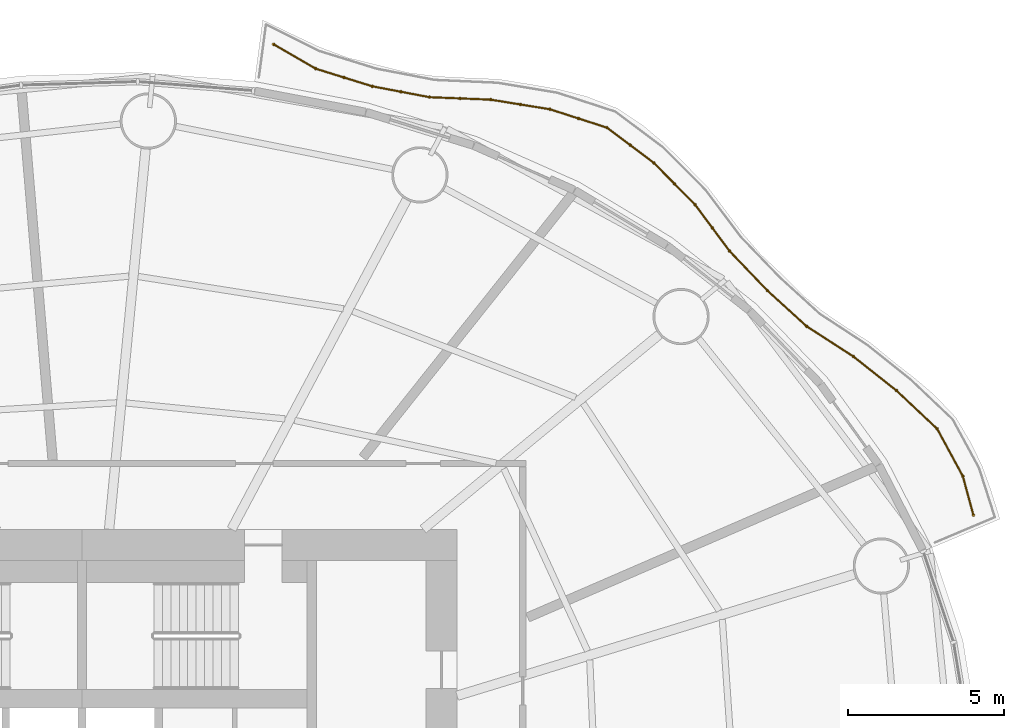
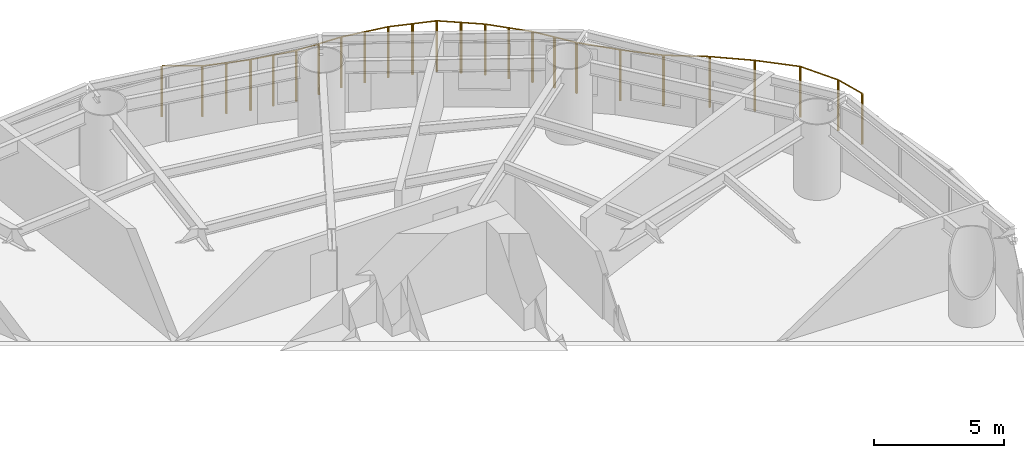
# One storey, part 17 of 17: 1 railing.
"""IFC4 building model written with IfcOpenShell, lengths in metres."""

from ifc_helpers import new_model, si_unit, direction, frame, origin, origin_2d, place, context, subcontext, project, spatial, circle, extrude, material, type_object, element, save


model = new_model("IFC4")

# Units and contexts
model_context = context("Model", 3, precision=1e-05, world=origin(), true_north=direction((0.0, 1.0)))
body_context = subcontext(model_context, "Body", "Model", "MODEL_VIEW")
ifc_project = project(units=[si_unit("LENGTHUNIT", "METRE"), si_unit("AREAUNIT", "SQUARE_METRE"), si_unit("VOLUMEUNIT", "CUBIC_METRE"), si_unit("PLANEANGLEUNIT", "RADIAN"), si_unit("MASSUNIT", "GRAM", prefix="KILO")], contexts=[model_context])

# Site, building, storey
site_placement = place(None, origin())
site = spatial("IfcSite", under=ifc_project, at=site_placement, CompositionType="ELEMENT")
building_placement = place(site_placement, origin())
building = spatial("IfcBuilding", under=site, at=building_placement, Name="Vermilion Reach Broadcast Tower", CompositionType="ELEMENT")
storey_placement = place(building_placement, frame((0.0, 0.0, 54.5)))
storey = spatial("IfcBuildingStorey", under=building, at=storey_placement, Name="L10", CompositionType="ELEMENT", Elevation=54.5)

# Railing
ifc_material = material(Name="Terracotta baguette", Category="masonry")
railing_type = type_object("IfcRailingType", Name="BAGUETTE SCREEN", PredefinedType="USERDEFINED", material=ifc_material)
railing_placement = place(storey_placement, frame((22.518798828125, 9.455078125, 0.0)))
element("IfcRailing", 1, at=railing_placement, inside=storey, type_object=railing_type, Name="Baguette screen L10 group 1", ObjectType="BAGUETTE SCREEN", PredefinedType="USERDEFINED", context=body_context, shape_type="SweptSolid", body=[
    extrude(circle(Radius=0.030029296875, at=origin_2d()), frame((0.0, 0.0, 2.369873046875), z_axis=(-0.261753917404, 0.96513464694, 0.0), x_axis=(-0.96513464694, -0.261753917404, 0.0)), (0.0, 0.0, 1.0), 1.2880859375),
    extrude(circle(Radius=0.030029296875, at=origin_2d()), frame((-0.337158203125, 1.2431640625, 2.369873046875), z_axis=(-0.476278583464, 0.879294439272, 0.0), x_axis=(-0.879294439272, -0.476278583464, 0.0)), (0.0, 0.0, 1.0), 1.722900390625),
    extrude(circle(Radius=0.030029296875, at=origin_2d()), frame((-1.15771484375, 2.758056640625, 2.369873046875), z_axis=(-0.728676715789, 0.684857827485, 0.0), x_axis=(-0.684857827485, -0.728676715789, 0.0)), (0.0, 0.0, 1.0), 1.78857421875),
    extrude(circle(Radius=0.030029296875, at=origin_2d()), frame((-2.4609375, 3.98291015625, 2.369873046875), z_axis=(-0.78440616321, 0.620247507949, 0.0), x_axis=(-0.620247507949, -0.78440616321, 0.0)), (0.0, 0.0, 1.0), 1.7578125),
    extrude(circle(Radius=0.030029296875, at=origin_2d()), frame((-3.83984375, 5.0732421875, 2.369873046875), z_axis=(-0.839886817596, 0.542761580833, 0.0), x_axis=(-0.542761580833, -0.839886817596, 0.0)), (0.0, 0.0, 1.0), 1.778076171875),
    extrude(circle(Radius=0.030029296875, at=origin_2d()), frame((-5.333251953125, 6.038330078125, 2.369873046875), z_axis=(-0.739842388982, 0.672780231179, 0.0), x_axis=(-0.672780231179, -0.739842388982, 0.0)), (0.0, 0.0, 1.0), 1.696533203125),
    extrude(circle(Radius=0.030029296875, at=origin_2d()), frame((-6.58837890625, 7.1796875, 2.369873046875), z_axis=(-0.691696677726, 0.722188137553, 0.0), x_axis=(-0.722188137553, -0.691696677726, 0.0)), (0.0, 0.0, 1.0), 1.75341796875),
    extrude(circle(Radius=0.030029296875, at=origin_2d()), frame((-7.80126953125, 8.446044921875, 2.369873046875), z_axis=(-0.596353228117, 0.802722135807, 0.0), x_axis=(-0.802722135807, -0.596353228117, 0.0)), (0.0, 0.0, 1.0), 1.845458984375),
    extrude(circle(Radius=0.030029296875, at=origin_2d()), frame((-8.90185546875, 9.927490234375, 2.369873046875), z_axis=(-0.702169427124, 0.712009898535, 0.0), x_axis=(-0.712009898535, -0.702169427124, 0.0)), (0.0, 0.0, 1.0), 1.885498046875),
    extrude(circle(Radius=0.030029296875, at=origin_2d()), frame((-10.225830078125, 11.27001953125, 2.369873046875), z_axis=(-0.7994364438, 0.60075067401, 0.0), x_axis=(-0.60075067401, -0.7994364438, 0.0)), (0.0, 0.0, 1.0), 1.87255859375),
    extrude(circle(Radius=0.030029296875, at=origin_2d()), frame((-11.722900390625, 12.39501953125, 2.369873046875), z_axis=(-0.951686981349, 0.307069844712, 0.0), x_axis=(-0.307069844712, -0.951686981349, 0.0)), (0.0, 0.0, 1.0), 1.91455078125),
    extrude(circle(Radius=0.030029296875, at=origin_2d()), frame((-13.544921875, 12.98291015625, 2.369873046875), z_axis=(-0.98705876909, 0.160358929788, 0.0), x_axis=(-0.160358929788, -0.98705876909, 0.0)), (0.0, 0.0, 1.0), 1.92138671875),
    extrude(circle(Radius=0.030029296875, at=origin_2d()), frame((-15.44140625, 13.291015625, 2.369873046875), z_axis=(-0.999196178629, 0.040087362262, 0.0), x_axis=(-0.040087362262, -0.999196178629, 0.0)), (0.0, 0.0, 1.0), 1.9609375),
    extrude(circle(Radius=0.030029296875, at=origin_2d()), frame((-17.40087890625, 13.36962890625, 2.369873046875), z_axis=(-0.982328247258, 0.187166275378, 0.0), x_axis=(-0.187166275378, -0.982328247258, 0.0)), (0.0, 0.0, 1.0), 1.864013671875),
    extrude(circle(Radius=0.030029296875, at=origin_2d()), frame((-19.23193359375, 13.718505859375, 2.369873046875), z_axis=(-0.954907958524, 0.296901988454, 0.0), x_axis=(-0.296901988454, -0.954907958524, 0.0)), (0.0, 0.0, 1.0), 1.893798828125),
    extrude(circle(Radius=0.030029296875, at=origin_2d()), frame((-21.040283203125, 14.28076171875, 2.369873046875), z_axis=(-0.86540483683, 0.501073316383, 0.0), x_axis=(-0.501073316383, -0.86540483683, 0.0)), (0.0, 0.0, 1.0), 1.55859375),
    extrude(circle(Radius=0.050048828125, at=origin_2d()), origin(), (0.0, 0.0, 1.0), 2.33984375),
    extrude(circle(Radius=0.050048828125, at=origin_2d()), frame((-0.337158203125, 1.2431640625, 0.0)), (0.0, 0.0, 1.0), 2.33984375),
    extrude(circle(Radius=0.050048828125, at=origin_2d()), frame((-1.15771484375, 2.758056640625, 0.0)), (0.0, 0.0, 1.0), 2.33984375),
    extrude(circle(Radius=0.050048828125, at=origin_2d()), frame((-2.4609375, 3.98291015625, 0.0)), (0.0, 0.0, 1.0), 2.33984375),
    extrude(circle(Radius=0.050048828125, at=origin_2d()), frame((-3.83984375, 5.0732421875, 0.0)), (0.0, 0.0, 1.0), 2.33984375),
    extrude(circle(Radius=0.050048828125, at=origin_2d()), frame((-5.333251953125, 6.038330078125, 0.0)), (0.0, 0.0, 1.0), 2.33984375),
    extrude(circle(Radius=0.050048828125, at=origin_2d()), frame((-6.58837890625, 7.1796875, 0.0)), (0.0, 0.0, 1.0), 2.33984375),
    extrude(circle(Radius=0.050048828125, at=origin_2d()), frame((-7.80126953125, 8.446044921875, 0.0)), (0.0, 0.0, 1.0), 2.33984375),
    extrude(circle(Radius=0.050048828125, at=origin_2d()), frame((-8.3515625, 9.186767578125, 0.0)), (0.0, 0.0, 1.0), 2.33984375),
    extrude(circle(Radius=0.050048828125, at=origin_2d()), frame((-8.90185546875, 9.927490234375, 0.0)), (0.0, 0.0, 1.0), 2.33984375),
    extrude(circle(Radius=0.050048828125, at=origin_2d()), frame((-9.56396484375, 10.5986328125, 0.0)), (0.0, 0.0, 1.0), 2.33984375),
    extrude(circle(Radius=0.050048828125, at=origin_2d()), frame((-10.225830078125, 11.27001953125, 0.0)), (0.0, 0.0, 1.0), 2.33984375),
    extrude(circle(Radius=0.050048828125, at=origin_2d()), frame((-10.974365234375, 11.83251953125, 0.0)), (0.0, 0.0, 1.0), 2.33984375),
    extrude(circle(Radius=0.050048828125, at=origin_2d()), frame((-11.722900390625, 12.39501953125, 0.0)), (0.0, 0.0, 1.0), 2.33984375),
    extrude(circle(Radius=0.050048828125, at=origin_2d()), frame((-12.6337890625, 12.68896484375, 0.0)), (0.0, 0.0, 1.0), 2.33984375),
    extrude(circle(Radius=0.050048828125, at=origin_2d()), frame((-13.544921875, 12.98291015625, 0.0)), (0.0, 0.0, 1.0), 2.33984375),
    extrude(circle(Radius=0.050048828125, at=origin_2d()), frame((-14.4931640625, 13.136962890625, 0.0)), (0.0, 0.0, 1.0), 2.33984375),
    extrude(circle(Radius=0.050048828125, at=origin_2d()), frame((-15.44140625, 13.291015625, 0.0)), (0.0, 0.0, 1.0), 2.33984375),
    extrude(circle(Radius=0.050048828125, at=origin_2d()), frame((-16.421142578125, 13.330322265625, 0.0)), (0.0, 0.0, 1.0), 2.33984375),
    extrude(circle(Radius=0.050048828125, at=origin_2d()), frame((-17.40087890625, 13.36962890625, 0.0)), (0.0, 0.0, 1.0), 2.33984375),
    extrude(circle(Radius=0.050048828125, at=origin_2d()), frame((-18.31640625, 13.5439453125, 0.0)), (0.0, 0.0, 1.0), 2.33984375),
    extrude(circle(Radius=0.050048828125, at=origin_2d()), frame((-19.23193359375, 13.718505859375, 0.0)), (0.0, 0.0, 1.0), 2.33984375),
    extrude(circle(Radius=0.050048828125, at=origin_2d()), frame((-20.13623046875, 13.99951171875, 0.0)), (0.0, 0.0, 1.0), 2.33984375),
    extrude(circle(Radius=0.050048828125, at=origin_2d()), frame((-21.040283203125, 14.28076171875, 0.0)), (0.0, 0.0, 1.0), 2.33984375),
    extrude(circle(Radius=0.050048828125, at=origin_2d()), frame((-22.38916015625, 15.061767578125, 0.0)), (0.0, 0.0, 1.0), 2.33984375),
])

save(model, "model.ifc")
